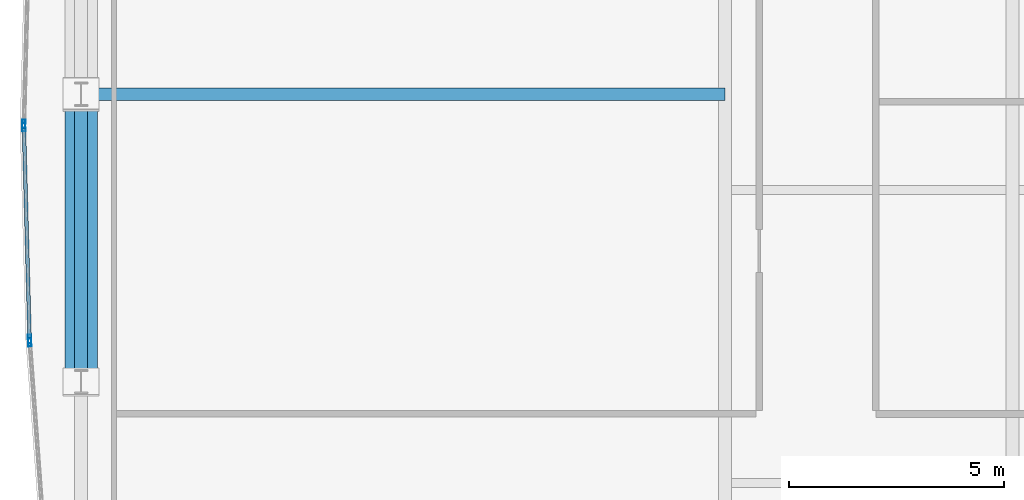
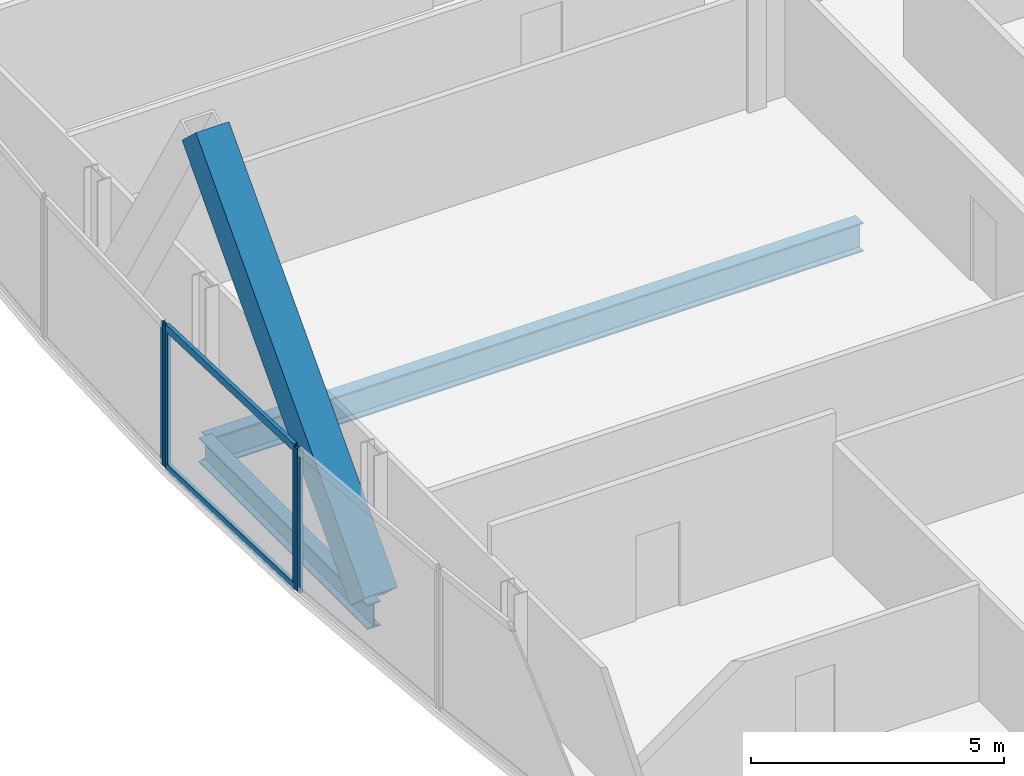
# One storey, part 10 of 31: 7 members, 2 beams, 3 elements without a shape of their own.
"""IFC4 building model written with IfcOpenShell, lengths in metres."""

from ifc_helpers import new_model, si_unit, direction, frame, origin, origin_2d, place, context, subcontext, project, spatial, hollow_rectangle, i_section, extrude, material, material_profile, profile_set, type_object, element, aggregate, save


model = new_model("IFC4")

# Units and contexts
model_context = context("Model", 3, precision=1e-05, world=origin(), true_north=direction((0.0, 1.0)))
body_context = subcontext(model_context, "Body", "Model", "MODEL_VIEW")
ifc_project = project(units=[si_unit("LENGTHUNIT", "METRE"), si_unit("AREAUNIT", "SQUARE_METRE"), si_unit("VOLUMEUNIT", "CUBIC_METRE"), si_unit("PLANEANGLEUNIT", "RADIAN"), si_unit("MASSUNIT", "GRAM", prefix="KILO")], contexts=[model_context])

# Site, building, storey
site_placement = place(None, origin())
site = spatial("IfcSite", under=ifc_project, at=site_placement, CompositionType="ELEMENT")
building_placement = place(site_placement, origin())
building = spatial("IfcBuilding", under=site, at=building_placement, Name="Khoronbel Lancet Exchange", CompositionType="ELEMENT")
storey_placement = place(building_placement, frame((0.0, 0.0, 129.0)))
storey = spatial("IfcBuildingStorey", under=building, at=storey_placement, Name="L31", CompositionType="ELEMENT", Elevation=129.0)

# Beams
ifc_material_1 = material(Name="Steel S355", Category="steel")
ifc_material_profile_1 = material_profile(ifc_material_1, i_section(OverallWidth=0.300048828125, OverallDepth=0.699951171875, WebThickness=0.01708984375, FlangeThickness=0.031982421875, at=origin_2d()), Name="HEB 700")
ifc_profile_set_1 = profile_set([ifc_material_profile_1], Name="Steel S355")
beam_type_1 = type_object("IfcBeamType", Name="BM-BG3", PredefinedType="BEAM", material=ifc_profile_set_1)
beam_1_placement = place(storey_placement, frame((3.27001953125, 31.425048828125, -0.510009765625), z_axis=(1.0, 0.0, 0.0), x_axis=(0.0, 1.0, 0.0)))
element("IfcBeam", 1, at=beam_1_placement, inside=storey, type_object=beam_type_1, Name="Level L31 west lens tie girder LG2W", PredefinedType="BEAM", context=body_context, shape_type="SweptSolid", body=[
    extrude(i_section(OverallWidth=0.300048828125, OverallDepth=0.699951171875, WebThickness=0.01708984375, FlangeThickness=0.031982421875, at=origin_2d()), origin(), (0.0, 0.0, 1.0), 14.955078125),
])
ifc_material_profile_2 = material_profile(ifc_material_1, i_section(OverallWidth=0.300048828125, OverallDepth=0.60009765625, WebThickness=0.015380859375, FlangeThickness=0.030029296875, at=origin_2d()), Name="HEB 600")
ifc_profile_set_2 = profile_set([ifc_material_profile_2], Name="Steel S355")
beam_type_2 = type_object("IfcBeamType", Name="BM-BSP2", PredefinedType="SPANDREL", material=ifc_profile_set_2)
beam_2_placement = place(storey_placement, frame((3.27001953125, 31.425048828125, -0.4599609375), z_axis=(0.0, -1.0, 0.0), x_axis=(1.0, 0.0, 0.0)))
element("IfcBeam", 2, at=beam_2_placement, inside=storey, type_object=beam_type_2, Name="Level L31 perimeter spandrel beam SP19", PredefinedType="SPANDREL", context=body_context, shape_type="SweptSolid", body=[
    extrude(i_section(OverallWidth=0.300048828125, OverallDepth=0.60009765625, WebThickness=0.015380859375, FlangeThickness=0.030029296875, at=origin_2d()), origin(), (0.0, 0.0, 1.0), 6.675048828125),
])

# Curtain wall, member
ifc_material_2 = material(Name="Low-E Solar Control Insulating Glass", Category="glass")
curtain_wall_type = type_object("IfcCurtainWallType", Name="CW-4", PredefinedType="NOTDEFINED", material=ifc_material_2)
curtain_wall_1_placement = place(storey_placement, origin())
curtain_wall_1 = element("IfcCurtainWall", 3, at=curtain_wall_1_placement, inside=storey, type_object=curtain_wall_type, Name="Unitised curtain wall CW-L31-E05", PredefinedType="NOTDEFINED")
ifc_material_3 = material(Name="Bronze-Anodised Aluminium 6063-T6", Category="aluminium")
ifc_material_profile_3 = material_profile(ifc_material_3, hollow_rectangle(XDim=0.074951171875, YDim=0.199951171875, WallThickness=0.0048828125, at=origin_2d()), Name="ALU MULLION 75x200")
ifc_profile_set_3 = profile_set([ifc_material_profile_3], Name="Bronze-Anodised Aluminium 6063-T6")
member_type_1 = type_object("IfcMemberType", Name="MEM-CWM2", PredefinedType="MULLION", material=ifc_profile_set_3)
member_1_placement = place(storey_placement, frame((2.07666015625, 25.6669921875, 0.0), z_axis=(0.0, 0.0, 1.0), x_axis=(-0.997330994662, -0.073012924107, 0.0)))
member_1 = element("IfcMember", 4, at=member_1_placement, type_object=member_type_1, Name="CW4 mullion 2", PredefinedType="MULLION", context=body_context, shape_type="SweptSolid", body=[
    extrude(hollow_rectangle(XDim=0.074951171875, YDim=0.199951171875, WallThickness=0.0048828125, at=origin_2d()), origin(), (0.0, 0.0, 1.0), 3.43994140625),
])
aggregate(curtain_wall_1, [member_1])

# Curtain wall, members
curtain_wall_2_placement = place(storey_placement, origin())
curtain_wall_2 = element("IfcCurtainWall", 5, at=curtain_wall_2_placement, inside=storey, type_object=curtain_wall_type, Name="Unitised curtain wall CW-L31-E06", PredefinedType="NOTDEFINED")
member_2_placement = place(storey_placement, frame((2.072998046875, 25.741943359375, 0.0), z_axis=(0.0, 0.0, 1.0), x_axis=(-0.99964096293, -0.026794500031, 0.0)))
member_2 = element("IfcMember", 6, at=member_2_placement, type_object=member_type_1, Name="CW4 mullion 1", PredefinedType="MULLION", context=body_context, shape_type="SweptSolid", body=[
    extrude(hollow_rectangle(XDim=0.074951171875, YDim=0.199951171875, WallThickness=0.0048828125, at=origin_2d()), origin(), (0.0, 0.0, 1.0), 3.43994140625),
])
member_3_placement = place(storey_placement, frame((1.94091796875, 30.66259765625, 0.0), z_axis=(0.0, 0.0, 1.0), x_axis=(-0.99964096293, -0.026794500031, 0.0)))
member_3 = element("IfcMember", 7, at=member_3_placement, type_object=member_type_1, Name="CW4 mullion 2", PredefinedType="MULLION", context=body_context, shape_type="SweptSolid", body=[
    extrude(hollow_rectangle(XDim=0.074951171875, YDim=0.199951171875, WallThickness=0.0048828125, at=origin_2d()), origin(), (0.0, 0.0, 1.0), 3.43994140625),
])

# Curtain wall, member
curtain_wall_3_placement = place(storey_placement, origin())
curtain_wall_3 = element("IfcCurtainWall", 8, at=curtain_wall_3_placement, inside=storey, type_object=curtain_wall_type, Name="Unitised curtain wall CW-L31-E07", PredefinedType="NOTDEFINED")
member_4_placement = place(storey_placement, frame((1.94091796875, 30.737548828125, 0.0), z_axis=(0.0, 0.0, 1.0), x_axis=(-0.99964096293, 0.026794500031, 0.0)))
member_4 = element("IfcMember", 9, at=member_4_placement, type_object=member_type_1, Name="CW4 mullion 1", PredefinedType="MULLION", context=body_context, shape_type="SweptSolid", body=[
    extrude(hollow_rectangle(XDim=0.074951171875, YDim=0.199951171875, WallThickness=0.0048828125, at=origin_2d()), origin(), (0.0, 0.0, 1.0), 3.43994140625),
])
aggregate(curtain_wall_3, [member_4])

# Member
ifc_material_profile_4 = material_profile(ifc_material_3, hollow_rectangle(XDim=0.0849609375, YDim=0.179931640625, WallThickness=0.0048828125, at=origin_2d()), Name="ALU TRANSOM 85x180")
ifc_profile_set_4 = profile_set([ifc_material_profile_4], Name="Bronze-Anodised Aluminium 6063-T6")
member_type_2 = type_object("IfcMemberType", Name="MEM-CWT1", PredefinedType="USERDEFINED", material=ifc_profile_set_4)
member_5_placement = place(storey_placement, frame((2.07177734375, 25.779541015625, 0.04248046875), z_axis=(-0.026795434018, 0.999640937895, 0.0), x_axis=(-0.999640937895, -0.026795434018, 0.0)))
member_5 = element("IfcMember", 10, at=member_5_placement, type_object=member_type_2, Name="CW4 transom 1.1", ObjectType="TRANSOM", PredefinedType="USERDEFINED", context=body_context, shape_type="SweptSolid", body=[
    extrude(hollow_rectangle(XDim=0.0849609375, YDim=0.179931640625, WallThickness=0.0048828125, at=origin_2d()), origin(), (0.0, 0.0, 1.0), 4.84716796875),
])

member_6_placement = place(storey_placement, frame((2.07177734375, 25.779541015625, 3.3974609375), z_axis=(-0.026795434018, 0.999640937895, 0.0), x_axis=(-0.999640937895, -0.026795434018, 0.0)))
member_6 = element("IfcMember", 11, at=member_6_placement, type_object=member_type_2, Name="CW4 transom 1.2", ObjectType="TRANSOM", PredefinedType="USERDEFINED", context=body_context, shape_type="SweptSolid", body=[
    extrude(hollow_rectangle(XDim=0.0849609375, YDim=0.179931640625, WallThickness=0.0048828125, at=origin_2d()), origin(), (0.0, 0.0, 1.0), 4.84716796875),
])

aggregate(curtain_wall_2, [member_2, member_3, member_5, member_6])

ifc_material_4 = material(Name="Steel S460", Category="steel")
ifc_material_profile_5 = material_profile(ifc_material_4, hollow_rectangle(XDim=0.760009765625, YDim=0.760009765625, WallThickness=0.054931640625, at=origin_2d()), Name="BOX 760x760x55")
ifc_profile_set_5 = profile_set([ifc_material_profile_5], Name="Steel S460")
member_type_3 = type_object("IfcMemberType", Name="MEM-MB1", PredefinedType="BRACE", material=ifc_profile_set_5)
member_7_placement = place(storey_placement, frame((3.27001953125, 24.75, 0.0), z_axis=(0.0, 0.679870035637, 0.733332622105), x_axis=(-1.0, 0.0, 0.0)))
element("IfcMember", 12, at=member_7_placement, inside=storey, type_object=member_type_3, Name="Perimeter lancet brace tier 10 W-P-L", PredefinedType="BRACE", context=body_context, shape_type="SweptSolid", body=[
    extrude(hollow_rectangle(XDim=0.760009765625, YDim=0.760009765625, WallThickness=0.054931640625, at=origin_2d()), origin(), (0.0, 0.0, 1.0), 9.818115234375),
])

save(model, "model.ifc")
